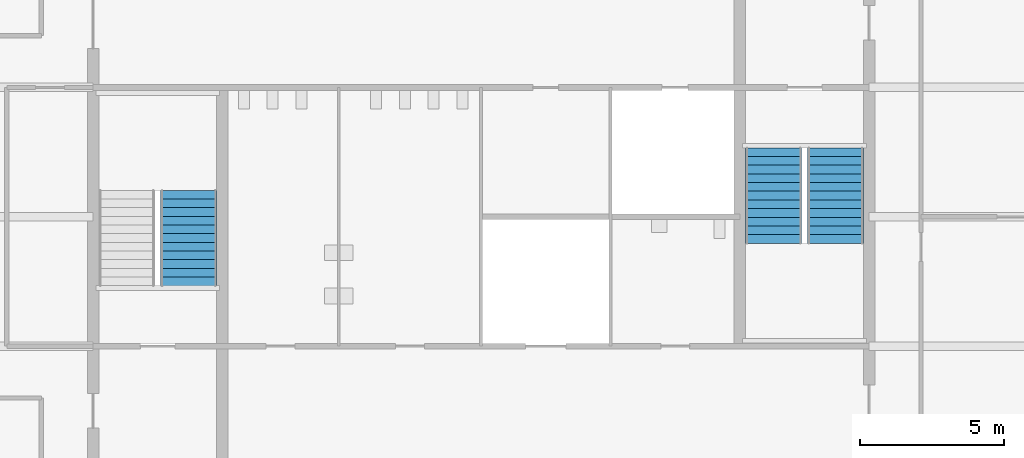
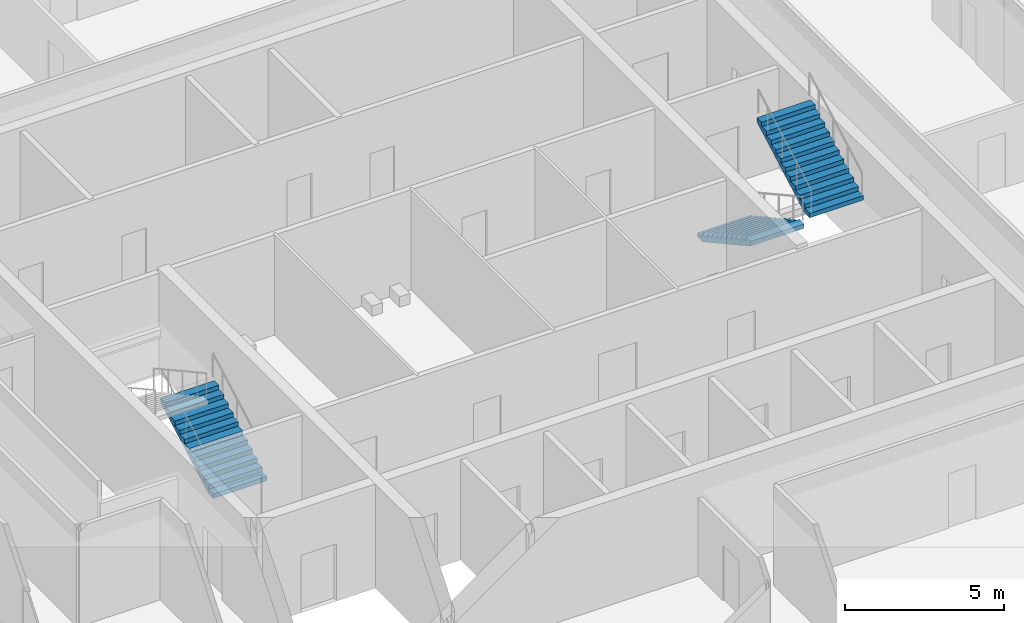
# One storey, part 12 of 14: 3 stair flights, 2 elements without a shape of their own.
"""IFC4 building model written with IfcOpenShell, lengths in metres."""

from ifc_helpers import new_model, si_unit, direction, frame, origin, place, context, subcontext, project, spatial, polyline, outline, extrude, material, type_object, element, aggregate, save


model = new_model("IFC4")

# Units and contexts
model_context = context("Model", 3, precision=1e-05, world=origin(), true_north=direction((0.0, 1.0)))
body_context = subcontext(model_context, "Body", "Model", "MODEL_VIEW")
ifc_project = project(units=[si_unit("LENGTHUNIT", "METRE"), si_unit("AREAUNIT", "SQUARE_METRE"), si_unit("VOLUMEUNIT", "CUBIC_METRE"), si_unit("PLANEANGLEUNIT", "RADIAN"), si_unit("MASSUNIT", "GRAM", prefix="KILO")], contexts=[model_context])

# Site, building, storey
site_placement = place(None, origin())
site = spatial("IfcSite", under=ifc_project, at=site_placement, CompositionType="ELEMENT")
building_placement = place(site_placement, origin())
building = spatial("IfcBuilding", under=site, at=building_placement, Name="Corais Broadcast Tower", CompositionType="ELEMENT")
storey_placement = place(building_placement, frame((0.0, 0.0, 294.60009765625)))
storey = spatial("IfcBuildingStorey", under=building, at=storey_placement, Name="L69", CompositionType="ELEMENT", Elevation=294.60009765625)

# Stair, stair flight
ifc_material_1 = material(Name="Concrete C30/37", Category="concrete")
stair_type = type_object("IfcStairType", Name="Half-turn stair 4000", PredefinedType="HALF_TURN_STAIR", material=ifc_material_1)
stair_1_placement = place(storey_placement, origin())
stair_1 = element("IfcStair", 1, at=stair_1_placement, inside=storey, type_object=stair_type, Name="Stair A L69", PredefinedType="HALF_TURN_STAIR")
ifc_material_2 = material(Name="Concrete C30/37", Category="concrete")
stair_flight_type = type_object("IfcStairFlightType", Name="Stair flight 4000", PredefinedType="STRAIGHT", material=ifc_material_2)
stair_flight_1_placement = place(storey_placement, frame((16.824951171875, 24.60009765625, 0.0), z_axis=(0.0, 0.0, 1.0), x_axis=(0.0, 1.0, 0.0)))
stair_flight_1 = element("IfcStairFlight", 2, at=stair_flight_1_placement, type_object=stair_flight_type, Name="STA flight 1", NumberOfRisers=12, NumberOfTreads=11, PredefinedType="STRAIGHT", RiserHeight=0.166666667, TreadLength=0.302, context=body_context, shape_type="SweptSolid", body=[
    extrude(outline(polyline([(0.0, 0.0), (0.0, 0.166748046875), (0.302001953125, 0.166748046875), (0.302001953125, 0.333251953125), (0.60400390625, 0.333251953125), (0.60400390625, 0.5), (0.906005859375, 0.5), (0.906005859375, 0.666748046875), (1.2080078125, 0.666748046875), (1.2080078125, 0.833251953125), (1.510009765625, 0.833251953125), (1.510009765625, 1.0), (1.81201171875, 1.0), (1.81201171875, 1.166748046875), (2.114013671875, 1.166748046875), (2.114013671875, 1.333251953125), (2.416015625, 1.333251953125), (2.416015625, 1.5), (2.718017578125, 1.5), (2.718017578125, 1.666748046875), (3.02001953125, 1.666748046875), (3.02001953125, 1.833251953125), (3.322021484375, 1.833251953125), (3.322021484375, 2.0), (3.322021484375, 1.662109375), (0.310302734375, 0.0), (0.0, 0.0)])), frame((0.0, 0.97509765625, 0.0), z_axis=(0.0, -1.0, 0.0), x_axis=(1.0, 0.0, 0.0)), (0.0, 0.0, 1.0), 1.949951171875),
])
aggregate(stair_1, [stair_flight_1])

# Stair, stair flights
stair_2_placement = place(storey_placement, origin())
stair_2 = element("IfcStair", 3, at=stair_2_placement, inside=storey, type_object=stair_type, Name="Stair B L69", PredefinedType="HALF_TURN_STAIR")
stair_flight_2_placement = place(storey_placement, frame((37.175048828125, 29.39990234375, 0.0), z_axis=(0.0, 0.0, 1.0), x_axis=(0.0, -1.0, 0.0)))
stair_flight_2 = element("IfcStairFlight", 4, at=stair_flight_2_placement, type_object=stair_flight_type, Name="STB flight 1", NumberOfRisers=12, NumberOfTreads=11, PredefinedType="STRAIGHT", RiserHeight=0.166666667, TreadLength=0.302, context=body_context, shape_type="SweptSolid", body=[
    extrude(outline(polyline([(0.0, 0.0), (0.0, 0.166748046875), (0.302001953125, 0.166748046875), (0.302001953125, 0.333251953125), (0.60400390625, 0.333251953125), (0.60400390625, 0.5), (0.906005859375, 0.5), (0.906005859375, 0.666748046875), (1.2080078125, 0.666748046875), (1.2080078125, 0.833251953125), (1.510009765625, 0.833251953125), (1.510009765625, 1.0), (1.81201171875, 1.0), (1.81201171875, 1.166748046875), (2.114013671875, 1.166748046875), (2.114013671875, 1.333251953125), (2.416015625, 1.333251953125), (2.416015625, 1.5), (2.718017578125, 1.5), (2.718017578125, 1.666748046875), (3.02001953125, 1.666748046875), (3.02001953125, 1.833251953125), (3.322021484375, 1.833251953125), (3.322021484375, 2.0), (3.322021484375, 1.662109375), (0.310302734375, 0.0), (0.0, 0.0)])), frame((0.0, 0.97509765625, 0.0), z_axis=(0.0, -1.0, 0.0), x_axis=(1.0, 0.0, 0.0)), (0.0, 0.0, 1.0), 1.949951171875),
])
stair_flight_3_placement = place(storey_placement, frame((39.324951171875, 26.077880859375, 2.0), z_axis=(0.0, 0.0, 1.0), x_axis=(0.0, 1.0, 0.0)))
stair_flight_3 = element("IfcStairFlight", 5, at=stair_flight_3_placement, type_object=stair_flight_type, Name="STB flight 2", NumberOfRisers=12, NumberOfTreads=11, PredefinedType="STRAIGHT", RiserHeight=0.166666667, TreadLength=0.302, context=body_context, shape_type="SweptSolid", body=[
    extrude(outline(polyline([(0.0, 0.0), (0.0, 0.166748046875), (0.302001953125, 0.166748046875), (0.302001953125, 0.333251953125), (0.60400390625, 0.333251953125), (0.60400390625, 0.5), (0.906005859375, 0.5), (0.906005859375, 0.666748046875), (1.2080078125, 0.666748046875), (1.2080078125, 0.833251953125), (1.510009765625, 0.833251953125), (1.510009765625, 1.0), (1.81201171875, 1.0), (1.81201171875, 1.166748046875), (2.114013671875, 1.166748046875), (2.114013671875, 1.333251953125), (2.416015625, 1.333251953125), (2.416015625, 1.5), (2.718017578125, 1.5), (2.718017578125, 1.666748046875), (3.02001953125, 1.666748046875), (3.02001953125, 1.833251953125), (3.322021484375, 1.833251953125), (3.322021484375, 2.0), (3.322021484375, 1.662109375), (0.310302734375, 0.0), (0.0, 0.0)])), frame((0.0, 0.97509765625, 0.0), z_axis=(0.0, -1.0, 0.0), x_axis=(1.0, 0.0, 0.0)), (0.0, 0.0, 1.0), 1.949951171875),
])
aggregate(stair_2, [stair_flight_2, stair_flight_3])

save(model, "model.ifc")
